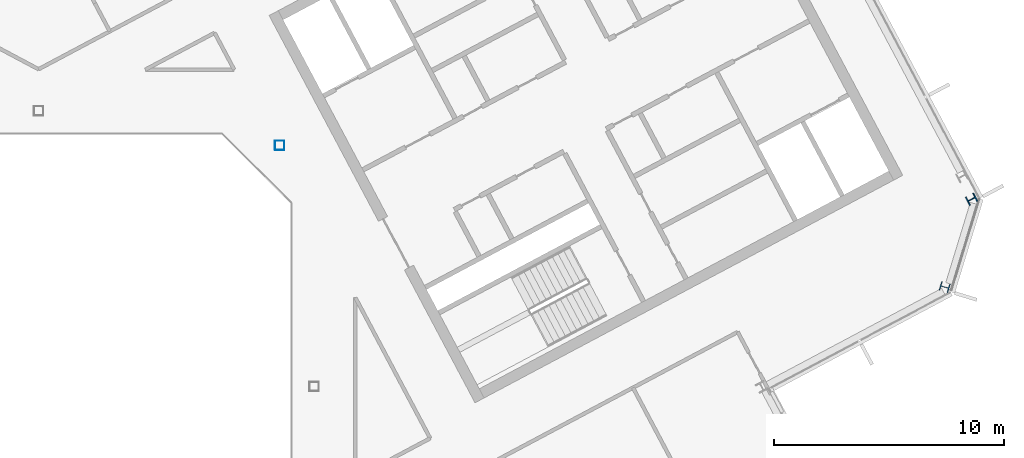
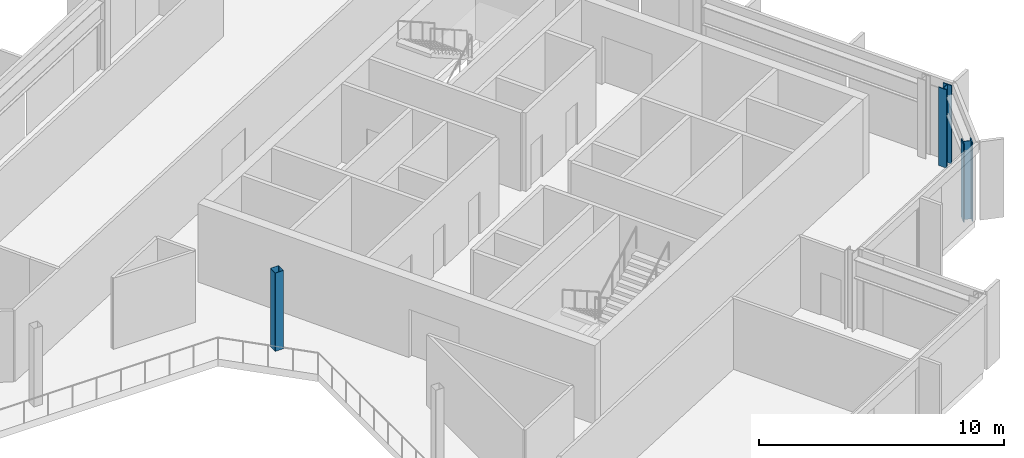
# One storey, part 6 of 25: 3 columns.
"""IFC4 building model written with IfcOpenShell, lengths in metres."""

from ifc_helpers import new_model, si_unit, direction, frame, origin, origin_2d, place, context, subcontext, project, spatial, hollow_rectangle, i_section, extrude, material, material_profile, profile_set, type_object, element, save


model = new_model("IFC4")

# Units and contexts
model_context = context("Model", 3, precision=1e-05, world=origin(), true_north=direction((0.0, 1.0)))
body_context = subcontext(model_context, "Body", "Model", "MODEL_VIEW")
ifc_project = project(units=[si_unit("LENGTHUNIT", "METRE"), si_unit("AREAUNIT", "SQUARE_METRE"), si_unit("VOLUMEUNIT", "CUBIC_METRE"), si_unit("PLANEANGLEUNIT", "RADIAN"), si_unit("MASSUNIT", "GRAM", prefix="KILO")], contexts=[model_context])

# Site, building, storey
site_placement = place(None, origin())
site = spatial("IfcSite", under=ifc_project, at=site_placement, CompositionType="ELEMENT")
building_placement = place(site_placement, origin())
building = spatial("IfcBuilding", under=site, at=building_placement, Name="Cormorant Relay Tower", CompositionType="ELEMENT")
storey_placement = place(building_placement, frame((0.0, 0.0, 273.60009765625)))
storey = spatial("IfcBuildingStorey", under=building, at=storey_placement, Name="L61", CompositionType="ELEMENT", Elevation=273.60009765625)

# Columns
ifc_material_1 = material(Name="Steel ASTM A500 Grade C (Fy 345 MPa)", Category="steel")
ifc_material_profile_1 = material_profile(ifc_material_1, hollow_rectangle(XDim=0.406494140625, YDim=0.406494140625, WallThickness=0.0087890625, InnerFilletRadius=0.00439453125, OuterFilletRadius=0.01318359375, at=origin_2d()), Name="HSS406x406x9")
ifc_profile_set_1 = profile_set([ifc_material_profile_1], Name="Steel ASTM A500 Grade C (Fy 345 MPa)")
column_type_1 = type_object("IfcColumnType", Name="Column HSS406x406x9", PredefinedType="COLUMN", material=ifc_profile_set_1)
column_placement = place(storey_placement, frame((10.5, 10.5, 0.0), z_axis=(0.0, 0.0, 1.0), x_axis=(1.0, 0.0, 0.0)))
element("IfcColumn", 1, at=column_placement, inside=storey, type_object=column_type_1, Name="Column L61-024", PredefinedType="COLUMN", context=body_context, shape_type="SweptSolid", body=[
    extrude(hollow_rectangle(XDim=0.406494140625, YDim=0.406494140625, WallThickness=0.0087890625, InnerFilletRadius=0.00439453125, OuterFilletRadius=0.01318359375, at=origin_2d()), origin(), (0.0, 0.0, 1.0), 3.89990234375),
])
ifc_material_2 = material(Name="Steel ASTM A992 (Fy 345 MPa)", Category="steel")
ifc_material_profile_2 = material_profile(ifc_material_2, i_section(OverallWidth=0.40380859375, OverallDepth=0.406494140625, WebThickness=0.027099609375, FlangeThickness=0.043701171875, FilletRadius=0.01513671875, at=origin_2d()), Name="W360x347")
ifc_profile_set_2 = profile_set([ifc_material_profile_2], Name="Steel ASTM A992 (Fy 345 MPa)")
column_type_2 = type_object("IfcColumnType", Name="Column W360x347", PredefinedType="COLUMN", material=ifc_profile_set_2)
for number, where, z_axis, x_axis, name in (
    (2, (39.464111328125, 4.330078125, 0.0), (0.0, 0.0, 1.0), (0.292371704723, 0.956304755963, 0.0), "Column L61-019"),
    (3, (40.633056640625, 8.153076171875, 0.0), (0.0, 0.0, 1.0), (-0.469471562786, 0.882947592859, 0.0), "Column L61-020"),
):
    element("IfcColumn", number, at=place(storey_placement, frame(where, z_axis=z_axis, x_axis=x_axis)), inside=storey, type_object=column_type_2, Name=name, PredefinedType="COLUMN", context=body_context, shape_type="SweptSolid", body=[
        extrude(i_section(OverallWidth=0.40380859375, OverallDepth=0.406494140625, WebThickness=0.027099609375, FlangeThickness=0.043701171875, FilletRadius=0.01513671875, at=origin_2d()), origin(), (0.0, 0.0, 1.0), 3.89990234375),
    ])

save(model, "model.ifc")
